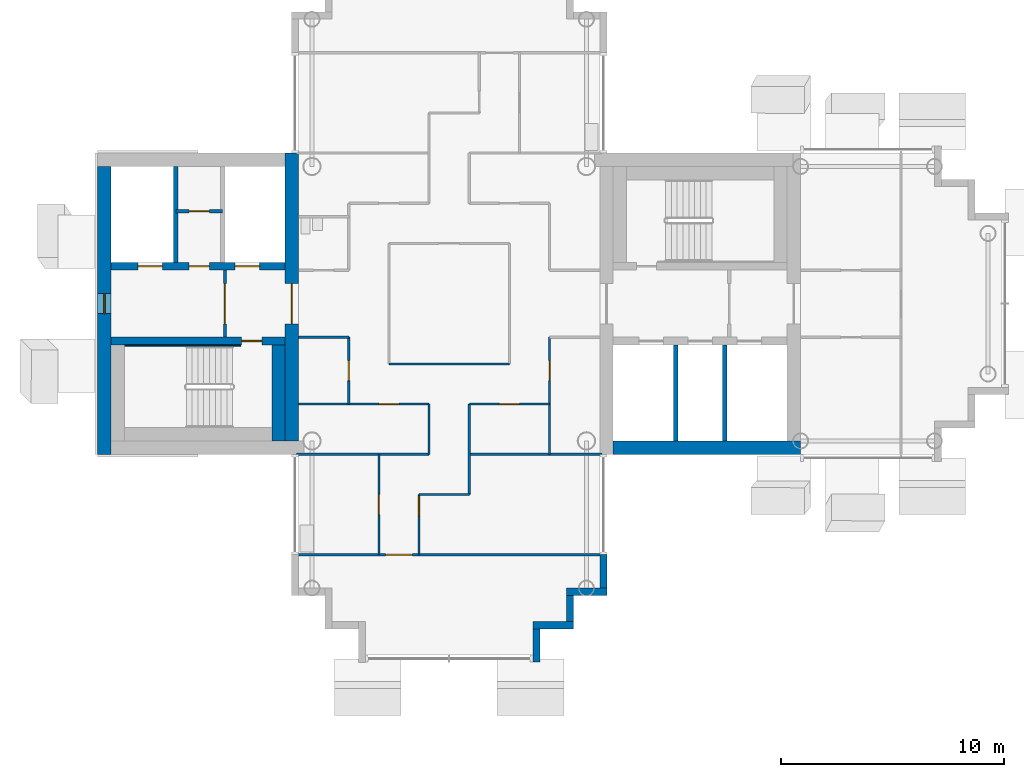
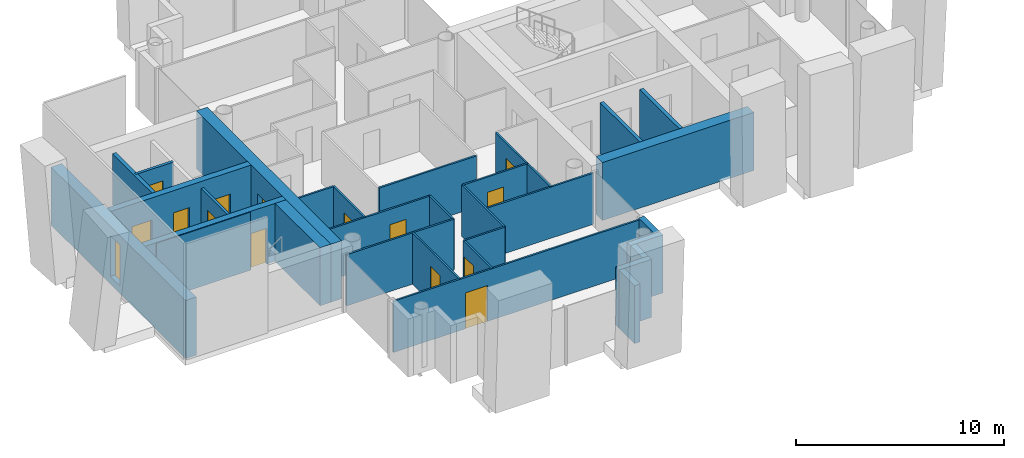
# One storey, part 6 of 18: 31 walls, 14 doors, 1 window, 15 openings.
"""IFC4 building model written with IfcOpenShell, lengths in metres."""

from ifc_helpers import new_model, si_unit, direction, frame, frame_2d, origin, place, context, subcontext, project, spatial, rectangle, extrude, material, layer, layer_set, type_object, element, fill, save


model = new_model("IFC4")

# Units and contexts
model_context = context("Model", 3, precision=1e-05, world=origin(), true_north=direction((0.0, 1.0)))
body_context = subcontext(model_context, "Body", "Model", "MODEL_VIEW")
ifc_project = project(units=[si_unit("LENGTHUNIT", "METRE"), si_unit("AREAUNIT", "SQUARE_METRE"), si_unit("VOLUMEUNIT", "CUBIC_METRE"), si_unit("PLANEANGLEUNIT", "RADIAN"), si_unit("MASSUNIT", "GRAM", prefix="KILO")], contexts=[model_context])

# Site, building, storey
site_placement = place(None, origin())
site = spatial("IfcSite", under=ifc_project, at=site_placement, CompositionType="ELEMENT")
building_placement = place(site_placement, origin())
building = spatial("IfcBuilding", under=site, at=building_placement, Name="Ipe Terrace Towers", CompositionType="ELEMENT")
storey_placement = place(building_placement, frame((0.0, 0.0, 223.199951171875)))
storey = spatial("IfcBuildingStorey", under=building, at=storey_placement, Name="L62", CompositionType="ELEMENT", Elevation=223.199951171875)

# Walls
ifc_material_1 = material(Name="Concrete C40/50 with buff precast cladding", Category="concrete")
ifc_layer_1 = layer(ifc_material_1, 0.320068359375)
ifc_layer_set_1 = layer_set([ifc_layer_1], Name="BUFF CLADDING WALL 320")
wall_type_1 = type_object("IfcWallType", Name="BUFF CLADDING WALL 320", PredefinedType="STANDARD", material=ifc_layer_set_1)
wall_1_placement = place(storey_placement, frame((-32.090087890625, -16.070068359375, -0.300048828125), z_axis=(0.0, 0.0, 1.0), x_axis=(0.0, 1.0, 0.0)))
element("IfcWall", 1, at=wall_1_placement, inside=storey, type_object=wall_type_1, Name="T1-W-L62-09a wall", PredefinedType="STANDARD", context=body_context, shape_type="SweptSolid", body=[
    extrude(rectangle(XDim=1.5, YDim=0.320068359375, at=frame_2d((0.75, 0.0))), origin(), (0.0, 0.0, 1.0), 3.400146484375),
])
wall_2_placement = place(storey_placement, frame((-32.25, -14.409912109375, -0.300048828125), z_axis=(0.0, 0.0, 1.0), x_axis=(1.0, 0.0, 0.0)))
element("IfcWall", 2, at=wall_2_placement, inside=storey, type_object=wall_type_1, Name="T1-W-L62-10a wall", PredefinedType="STANDARD", context=body_context, shape_type="SweptSolid", body=[
    extrude(rectangle(XDim=1.820068359375, YDim=0.320068359375, at=frame_2d((0.91015625, 0.0))), origin(), (0.0, 0.0, 1.0), 3.400146484375),
])
wall_3_placement = place(storey_placement, frame((-30.590087890625, -14.25, -0.300048828125), z_axis=(0.0, 0.0, 1.0), x_axis=(0.0, 1.0, 0.0)))
element("IfcWall", 3, at=wall_3_placement, inside=storey, type_object=wall_type_1, Name="T1-W-L62-11a wall", PredefinedType="STANDARD", context=body_context, shape_type="SweptSolid", body=[
    extrude(rectangle(XDim=1.179931640625, YDim=0.320068359375, at=frame_2d((0.58984375, 0.0))), origin(), (0.0, 0.0, 1.0), 3.400146484375),
])
wall_4_placement = place(storey_placement, frame((-30.75, -12.909912109375, -0.300048828125), z_axis=(0.0, 0.0, 1.0), x_axis=(1.0, 0.0, 0.0)))
element("IfcWall", 4, at=wall_4_placement, inside=storey, type_object=wall_type_1, Name="T1-W-L62-12a wall", PredefinedType="STANDARD", context=body_context, shape_type="SweptSolid", body=[
    extrude(rectangle(XDim=1.820068359375, YDim=0.320068359375, at=frame_2d((0.91015625, 0.0))), origin(), (0.0, 0.0, 1.0), 3.400146484375),
])
wall_5_placement = place(storey_placement, frame((-29.090087890625, -12.75, -0.300048828125), z_axis=(0.0, 0.0, 1.0), x_axis=(0.0, 1.0, 0.0)))
element("IfcWall", 5, at=wall_5_placement, inside=storey, type_object=wall_type_1, Name="T1-W-L62-13a wall", PredefinedType="STANDARD", context=body_context, shape_type="SweptSolid", body=[
    extrude(rectangle(XDim=1.5, YDim=0.320068359375, at=frame_2d((0.75, 0.0))), origin(), (0.0, 0.0, 1.0), 3.400146484375),
])

# Wall, opening, door
ifc_material_2 = material(Name="Gypsum board partition", Category="plasterboard")
ifc_layer_2 = layer(ifc_material_2, 0.10009765625)
ifc_layer_set_2 = layer_set([ifc_layer_2], Name="Gypsum board partition 100 mm")
wall_type_2 = type_object("IfcWallType", Name="Gypsum board partition 100 mm", PredefinedType="PARTITIONING", material=ifc_layer_set_2)
wall_6_placement = place(storey_placement, frame((-40.5, -4.5, 0.0), z_axis=(0.0, 0.0, 1.0), x_axis=(0.0, 1.0, 0.0)))
wall_6 = element("IfcWall", 6, at=wall_6_placement, inside=storey, type_object=wall_type_2, Name="Gypsum board partition T1 L62 W01", PredefinedType="PARTITIONING", context=body_context, shape_type="SweptSolid", body=[
    extrude(rectangle(XDim=3.0, YDim=0.10009765625, at=frame_2d((1.5, 0.0))), origin(), (0.0, 0.0, 1.0), 3.0),
])
opening_1_placement = place(wall_6_placement, frame((1.050048828125, 0.0, 0.0)))
opening_1 = element("IfcOpeningElement", 7, at=opening_1_placement, cuts=wall_6, Name="Opening T1-Z4F-06", PredefinedType="OPENING", context=body_context, shape_type="SweptSolid", body=[
    extrude(rectangle(XDim=0.89990234375, YDim=2.10009765625, at=frame_2d((0.449951171875, 1.050048828125))), frame((0.0, 0.06005859375, 0.0), z_axis=(0.0, -1.0, 0.0), x_axis=(1.0, 0.0, 0.0)), (0.0, 0.0, 1.0), 0.1201171875),
])
ifc_material_3 = material(Name="Timber door leaf", Category="wood")
door_type_1 = type_object("IfcDoorType", Name="Lounge door 900 x 2100", OperationType="NOTDEFINED", PredefinedType="DOOR", material=ifc_material_3)
door_1_placement = place(opening_1_placement, origin())
door_1 = element("IfcDoor", 8, at=door_1_placement, inside=storey, type_object=door_type_1, Name="Lounge door T1-Z4F-06", OperationType="SINGLE_SWING_LEFT", OverallHeight=2.10009765625, OverallWidth=0.89990234375, PredefinedType="DOOR", context=body_context, shape_type="SweptSolid", body=[
    extrude(rectangle(XDim=0.89990234375, YDim=2.10009765625, at=frame_2d((0.449951171875, 1.050048828125))), frame((0.0, 0.02490234375, 0.0), z_axis=(0.0, -1.0, 0.0), x_axis=(1.0, 0.0, 0.0)), (0.0, 0.0, 1.0), 0.050048828125),
])
fill(opening_1, door_1)

wall_7_placement = place(storey_placement, frame((-39.14990234375, -11.25, 0.0), z_axis=(0.0, 0.0, 1.0), x_axis=(0.0, 1.0, 0.0)))
wall_7 = element("IfcWall", 9, at=wall_7_placement, inside=storey, type_object=wall_type_2, Name="Gypsum board partition T1 L62 W03", PredefinedType="PARTITIONING", context=body_context, shape_type="SweptSolid", body=[
    extrude(rectangle(XDim=4.5, YDim=0.10009765625, at=frame_2d((2.25, 0.0))), origin(), (0.0, 0.0, 1.0), 3.0),
])
opening_2_placement = place(wall_7_placement, frame((1.800048828125, 0.0, 0.0)))
opening_2 = element("IfcOpeningElement", 10, at=opening_2_placement, cuts=wall_7, Name="Opening T1-Z4F-13", PredefinedType="OPENING", context=body_context, shape_type="SweptSolid", body=[
    extrude(rectangle(XDim=0.89990234375, YDim=2.10009765625, at=frame_2d((0.449951171875, 1.050048828125))), frame((0.0, 0.06005859375, 0.0), z_axis=(0.0, -1.0, 0.0), x_axis=(1.0, 0.0, 0.0)), (0.0, 0.0, 1.0), 0.1201171875),
])
door_2_placement = place(opening_2_placement, origin())
door_2 = element("IfcDoor", 11, at=door_2_placement, inside=storey, type_object=door_type_1, Name="Lounge door T1-Z4F-13", OperationType="SINGLE_SWING_LEFT", OverallHeight=2.10009765625, OverallWidth=0.89990234375, PredefinedType="DOOR", context=body_context, shape_type="SweptSolid", body=[
    extrude(rectangle(XDim=0.89990234375, YDim=2.10009765625, at=frame_2d((0.449951171875, 1.050048828125))), frame((0.0, 0.02490234375, 0.0), z_axis=(0.0, -1.0, 0.0), x_axis=(1.0, 0.0, 0.0)), (0.0, 0.0, 1.0), 0.050048828125),
])
fill(opening_2, door_2)

wall_8_placement = place(storey_placement, frame((-37.35009765625, -11.25, 0.0), z_axis=(0.0, 0.0, 1.0), x_axis=(0.0, 1.0, 0.0)))
wall_8 = element("IfcWall", 12, at=wall_8_placement, inside=storey, type_object=wall_type_2, Name="Gypsum board partition T1 L62 W05", PredefinedType="PARTITIONING", context=body_context, shape_type="SweptSolid", body=[
    extrude(rectangle(XDim=2.699951171875, YDim=0.10009765625, at=frame_2d((1.35009765625, 0.0))), origin(), (0.0, 0.0, 1.0), 3.0),
])
opening_3_placement = place(wall_8_placement, frame((1.72998046875, 0.0, 0.0)))
opening_3 = element("IfcOpeningElement", 13, at=opening_3_placement, cuts=wall_8, Name="Opening T1-Z4F-12", PredefinedType="OPENING", context=body_context, shape_type="SweptSolid", body=[
    extrude(rectangle(XDim=0.89990234375, YDim=2.10009765625, at=frame_2d((0.449951171875, 1.050048828125))), frame((0.0, 0.06005859375, 0.0), z_axis=(0.0, -1.0, 0.0), x_axis=(1.0, 0.0, 0.0)), (0.0, 0.0, 1.0), 0.1201171875),
])
door_3_placement = place(opening_3_placement, origin())
door_3 = element("IfcDoor", 14, at=door_3_placement, inside=storey, type_object=door_type_1, Name="Lounge door T1-Z4F-12", OperationType="SINGLE_SWING_RIGHT", OverallHeight=2.10009765625, OverallWidth=0.89990234375, PredefinedType="DOOR", context=body_context, shape_type="SweptSolid", body=[
    extrude(rectangle(XDim=0.89990234375, YDim=2.10009765625, at=frame_2d((0.449951171875, 1.050048828125))), frame((0.0, 0.02490234375, 0.0), z_axis=(0.0, -1.0, 0.0), x_axis=(1.0, 0.0, 0.0)), (0.0, 0.0, 1.0), 0.050048828125),
])
fill(opening_3, door_3)

# Walls
wall_9_placement = place(storey_placement, frame((-36.89990234375, -6.75, 0.0), z_axis=(0.0, 0.0, 1.0), x_axis=(0.0, 1.0, 0.0)))
element("IfcWall", 15, at=wall_9_placement, inside=storey, type_object=wall_type_2, Name="Gypsum board partition T1 L62 W06", PredefinedType="PARTITIONING", context=body_context, shape_type="SweptSolid", body=[
    extrude(rectangle(XDim=2.25, YDim=0.10009765625, at=frame_2d((1.125, 0.0))), origin(), (0.0, 0.0, 1.0), 3.0),
])
wall_10_placement = place(storey_placement, frame((-35.10009765625, -8.550048828125, 0.0), z_axis=(0.0, 0.0, 1.0), x_axis=(0.0, 1.0, 0.0)))
element("IfcWall", 16, at=wall_10_placement, inside=storey, type_object=wall_type_2, Name="Gypsum board partition T1 L62 W08", PredefinedType="PARTITIONING", context=body_context, shape_type="SweptSolid", body=[
    extrude(rectangle(XDim=4.050048828125, YDim=0.10009765625, at=frame_2d((2.02490234375, 0.0))), origin(), (0.0, 0.0, 1.0), 3.0),
])

# Wall, opening, door
wall_11_placement = place(storey_placement, frame((-31.5, -6.75, 0.0), z_axis=(0.0, 0.0, 1.0), x_axis=(0.0, 1.0, 0.0)))
wall_11 = element("IfcWall", 17, at=wall_11_placement, inside=storey, type_object=wall_type_2, Name="Gypsum board partition T1 L62 W13", PredefinedType="PARTITIONING", context=body_context, shape_type="SweptSolid", body=[
    extrude(rectangle(XDim=5.25, YDim=0.10009765625, at=frame_2d((2.625, 0.0))), origin(), (0.0, 0.0, 1.0), 3.0),
])
opening_4_placement = place(wall_11_placement, frame((3.300048828125, 0.0, 0.0)))
opening_4 = element("IfcOpeningElement", 18, at=opening_4_placement, cuts=wall_11, Name="Opening T1-Z4F-08", PredefinedType="OPENING", context=body_context, shape_type="SweptSolid", body=[
    extrude(rectangle(XDim=0.89990234375, YDim=2.10009765625, at=frame_2d((0.449951171875, 1.050048828125))), frame((0.0, 0.06005859375, 0.0), z_axis=(0.0, -1.0, 0.0), x_axis=(1.0, 0.0, 0.0)), (0.0, 0.0, 1.0), 0.1201171875),
])
door_4_placement = place(opening_4_placement, origin())
door_4 = element("IfcDoor", 19, at=door_4_placement, inside=storey, type_object=door_type_1, Name="Lounge door T1-Z4F-08", OperationType="SINGLE_SWING_RIGHT", OverallHeight=2.10009765625, OverallWidth=0.89990234375, PredefinedType="DOOR", context=body_context, shape_type="SweptSolid", body=[
    extrude(rectangle(XDim=0.89990234375, YDim=2.10009765625, at=frame_2d((0.449951171875, 1.050048828125))), frame((0.0, 0.02490234375, 0.0), z_axis=(0.0, -1.0, 0.0), x_axis=(1.0, 0.0, 0.0)), (0.0, 0.0, 1.0), 0.050048828125),
])
fill(opening_4, door_4)

wall_12_placement = place(storey_placement, frame((-42.85009765625, -11.25, 0.0), z_axis=(0.0, 0.0, 1.0), x_axis=(1.0, 0.0, 0.0)))
wall_12 = element("IfcWall", 20, at=wall_12_placement, inside=storey, type_object=wall_type_2, Name="Gypsum board partition T1 L62 W16", PredefinedType="PARTITIONING", context=body_context, shape_type="SweptSolid", body=[
    extrude(rectangle(XDim=13.7001953125, YDim=0.10009765625, at=frame_2d((6.85009765625, 0.0))), origin(), (0.0, 0.0, 1.0), 3.0),
])
opening_5_placement = place(wall_12_placement, frame((4.0, 0.0, 0.0)))
opening_5 = element("IfcOpeningElement", 21, at=opening_5_placement, cuts=wall_12, Name="Opening T1-Z4F-14", PredefinedType="OPENING", context=body_context, shape_type="SweptSolid", body=[
    extrude(rectangle(XDim=1.199951171875, YDim=2.10009765625, at=frame_2d((0.60009765625, 1.050048828125))), frame((0.0, 0.06005859375, 0.0), z_axis=(0.0, -1.0, 0.0), x_axis=(1.0, 0.0, 0.0)), (0.0, 0.0, 1.0), 0.1201171875),
])
ifc_material_4 = material(Name="Timber door leaf", Category="wood")
door_type_2 = type_object("IfcDoorType", Name="Lounge door 1200 x 2100", OperationType="NOTDEFINED", PredefinedType="DOOR", material=ifc_material_4)
door_5_placement = place(opening_5_placement, origin())
door_5 = element("IfcDoor", 22, at=door_5_placement, inside=storey, type_object=door_type_2, Name="Lounge door T1-Z4F-14", OperationType="SINGLE_SWING_LEFT", OverallHeight=2.10009765625, OverallWidth=1.199951171875, PredefinedType="DOOR", context=body_context, shape_type="SweptSolid", body=[
    extrude(rectangle(XDim=1.199951171875, YDim=2.10009765625, at=frame_2d((0.60009765625, 1.050048828125))), frame((0.0, 0.02490234375, 0.0), z_axis=(0.0, -1.0, 0.0), x_axis=(1.0, 0.0, 0.0)), (0.0, 0.0, 1.0), 0.050048828125),
])
fill(opening_5, door_5)

# Walls
wall_13_placement = place(storey_placement, frame((-37.35009765625, -8.550048828125, 0.0), z_axis=(0.0, 0.0, 1.0), x_axis=(1.0, 0.0, 0.0)))
element("IfcWall", 23, at=wall_13_placement, inside=storey, type_object=wall_type_2, Name="Gypsum board partition T1 L62 W17", PredefinedType="PARTITIONING", context=body_context, shape_type="SweptSolid", body=[
    extrude(rectangle(XDim=2.25, YDim=0.10009765625, at=frame_2d((1.125, 0.0))), origin(), (0.0, 0.0, 1.0), 3.0),
])
for number, where, z_axis, x_axis, name in (
    (24, (-42.85009765625, -6.75, 0.0), (0.0, 0.0, 1.0), (1.0, 0.0, 0.0), "Gypsum board partition T1 L62 W18"),
    (25, (-35.10009765625, -6.75, 0.0), (0.0, 0.0, 1.0), (1.0, 0.0, 0.0), "Gypsum board partition T1 L62 W19"),
):
    element("IfcWall", number, at=place(storey_placement, frame(where, z_axis=z_axis, x_axis=x_axis)), inside=storey, type_object=wall_type_2, Name=name, PredefinedType="PARTITIONING", context=body_context, shape_type="SweptSolid", body=[
        extrude(rectangle(XDim=5.9501953125, YDim=0.10009765625, at=frame_2d((2.97509765625, 0.0))), origin(), (0.0, 0.0, 1.0), 3.0),
    ])

# Wall, opening, door
wall_14_placement = place(storey_placement, frame((-42.75, -4.5, 0.0), z_axis=(0.0, 0.0, 1.0), x_axis=(1.0, 0.0, 0.0)))
wall_14 = element("IfcWall", 26, at=wall_14_placement, inside=storey, type_object=wall_type_2, Name="Gypsum board partition T1 L62 W20", PredefinedType="PARTITIONING", context=body_context, shape_type="SweptSolid", body=[
    extrude(rectangle(XDim=5.85009765625, YDim=0.10009765625, at=frame_2d((2.925048828125, 0.0))), origin(), (0.0, 0.0, 1.0), 3.0),
])
opening_6_placement = place(wall_14_placement, frame((3.60009765625, 0.0, 0.0)))
opening_6 = element("IfcOpeningElement", 27, at=opening_6_placement, cuts=wall_14, Name="Opening T1-Z4F-05", PredefinedType="OPENING", context=body_context, shape_type="SweptSolid", body=[
    extrude(rectangle(XDim=0.89990234375, YDim=2.10009765625, at=frame_2d((0.449951171875, 1.050048828125))), frame((0.0, 0.06005859375, 0.0), z_axis=(0.0, -1.0, 0.0), x_axis=(1.0, 0.0, 0.0)), (0.0, 0.0, 1.0), 0.1201171875),
])
door_6_placement = place(opening_6_placement, origin())
door_6 = element("IfcDoor", 28, at=door_6_placement, inside=storey, type_object=door_type_1, Name="Lounge door T1-Z4F-05", OperationType="SINGLE_SWING_RIGHT", OverallHeight=2.10009765625, OverallWidth=0.89990234375, PredefinedType="DOOR", context=body_context, shape_type="SweptSolid", body=[
    extrude(rectangle(XDim=0.89990234375, YDim=2.10009765625, at=frame_2d((0.449951171875, 1.050048828125))), frame((0.0, 0.02490234375, 0.0), z_axis=(0.0, -1.0, 0.0), x_axis=(1.0, 0.0, 0.0)), (0.0, 0.0, 1.0), 0.050048828125),
])
fill(opening_6, door_6)

wall_15_placement = place(storey_placement, frame((-35.10009765625, -4.5, 0.0), z_axis=(0.0, 0.0, 1.0), x_axis=(1.0, 0.0, 0.0)))
wall_15 = element("IfcWall", 29, at=wall_15_placement, inside=storey, type_object=wall_type_2, Name="Gypsum board partition T1 L62 W21", PredefinedType="PARTITIONING", context=body_context, shape_type="SweptSolid", body=[
    extrude(rectangle(XDim=3.60009765625, YDim=0.10009765625, at=frame_2d((1.800048828125, 0.0))), origin(), (0.0, 0.0, 1.0), 3.0),
])
opening_7_placement = place(wall_15_placement, frame((1.35009765625, 0.0, 0.0)))
opening_7 = element("IfcOpeningElement", 30, at=opening_7_placement, cuts=wall_15, Name="Opening T1-Z4F-07", PredefinedType="OPENING", context=body_context, shape_type="SweptSolid", body=[
    extrude(rectangle(XDim=0.89990234375, YDim=2.10009765625, at=frame_2d((0.449951171875, 1.050048828125))), frame((0.0, 0.06005859375, 0.0), z_axis=(0.0, -1.0, 0.0), x_axis=(1.0, 0.0, 0.0)), (0.0, 0.0, 1.0), 0.1201171875),
])
door_7_placement = place(opening_7_placement, origin())
door_7 = element("IfcDoor", 31, at=door_7_placement, inside=storey, type_object=door_type_1, Name="Lounge door T1-Z4F-07", OperationType="SINGLE_SWING_RIGHT", OverallHeight=2.10009765625, OverallWidth=0.89990234375, PredefinedType="DOOR", context=body_context, shape_type="SweptSolid", body=[
    extrude(rectangle(XDim=0.89990234375, YDim=2.10009765625, at=frame_2d((0.449951171875, 1.050048828125))), frame((0.0, 0.02490234375, 0.0), z_axis=(0.0, -1.0, 0.0), x_axis=(1.0, 0.0, 0.0)), (0.0, 0.0, 1.0), 0.050048828125),
])
fill(opening_7, door_7)

# Walls
wall_16_placement = place(storey_placement, frame((-38.699951171875, -2.699951171875, 0.0), z_axis=(0.0, 0.0, 1.0), x_axis=(1.0, 0.0, 0.0)))
element("IfcWall", 32, at=wall_16_placement, inside=storey, type_object=wall_type_2, Name="Gypsum board partition T1 L62 W22", PredefinedType="PARTITIONING", context=body_context, shape_type="SweptSolid", body=[
    extrude(rectangle(XDim=5.39990234375, YDim=0.10009765625, at=frame_2d((2.699951171875, 0.0))), origin(), (0.0, 0.0, 1.0), 3.0),
])
wall_17_placement = place(storey_placement, frame((-42.75, -1.5, 0.0), z_axis=(0.0, 0.0, 1.0), x_axis=(1.0, 0.0, 0.0)))
element("IfcWall", 33, at=wall_17_placement, inside=storey, type_object=wall_type_2, Name="Gypsum board partition T1 L62 W23", PredefinedType="PARTITIONING", context=body_context, shape_type="SweptSolid", body=[
    extrude(rectangle(XDim=2.25, YDim=0.10009765625, at=frame_2d((1.125, 0.0))), origin(), (0.0, 0.0, 1.0), 3.0),
])

# Wall, opening, door
ifc_material_5 = material(Name="Gypsum board partition", Category="plasterboard")
ifc_layer_3 = layer(ifc_material_5, 0.14990234375)
ifc_layer_set_3 = layer_set([ifc_layer_3], Name="Gypsum board partition 150 mm")
wall_type_3 = type_object("IfcWallType", Name="Gypsum board partition 150 mm", PredefinedType="PARTITIONING", material=ifc_layer_set_3)
wall_18_placement = place(storey_placement, frame((-46.050048828125, 1.5, 0.0), z_axis=(0.0, 0.0, 1.0), x_axis=(0.0, -1.0, 0.0)))
wall_18 = element("IfcWall", 34, at=wall_18_placement, inside=storey, type_object=wall_type_3, Name="Gypsum board partition T1 L62 t1c2-lobby-wall", PredefinedType="PARTITIONING", context=body_context, shape_type="SweptSolid", body=[
    extrude(rectangle(XDim=3.0, YDim=0.14990234375, at=frame_2d((1.5, 0.0))), origin(), (0.0, 0.0, 1.0), 3.0),
])
opening_8_placement = place(wall_18_placement, frame((0.60009765625, 0.0, 0.0)))
opening_8 = element("IfcOpeningElement", 35, at=opening_8_placement, cuts=wall_18, Name="Opening T1C2-VD", PredefinedType="OPENING", context=body_context, shape_type="SweptSolid", body=[
    extrude(rectangle(XDim=1.800048828125, YDim=2.10009765625, at=frame_2d((0.89990234375, 1.050048828125))), frame((0.0, 0.0849609375, 0.0), z_axis=(0.0, -1.0, 0.0), x_axis=(1.0, 0.0, 0.0)), (0.0, 0.0, 1.0), 0.169921875),
])
ifc_material_6 = material(Name="Fire-rated timber door leaf", Category="wood")
door_type_3 = type_object("IfcDoorType", Name="Lobby door 1800 x 2100 FD60", OperationType="NOTDEFINED", PredefinedType="DOOR", material=ifc_material_6)
door_8_placement = place(opening_8_placement, origin())
door_8 = element("IfcDoor", 36, at=door_8_placement, inside=storey, type_object=door_type_3, Name="Lobby door T1C2-VD", OperationType="SINGLE_SWING_LEFT", OverallHeight=2.10009765625, OverallWidth=1.800048828125, PredefinedType="DOOR", context=body_context, shape_type="SweptSolid", body=[
    extrude(rectangle(XDim=1.800048828125, YDim=2.10009765625, at=frame_2d((0.89990234375, 1.050048828125))), frame((0.0, 0.02490234375, 0.0), z_axis=(0.0, -1.0, 0.0), x_axis=(1.0, 0.0, 0.0)), (0.0, 0.0, 1.0), 0.050048828125),
])
fill(opening_8, door_8)

wall_19_placement = place(storey_placement, frame((-46.14990234375, 4.14990234375, 0.0), z_axis=(0.0, 0.0, 1.0), x_axis=(-1.0, 0.0, 0.0)))
wall_19 = element("IfcWall", 37, at=wall_19_placement, inside=storey, type_object=wall_type_3, Name="Gypsum board partition T1 L62 t1c2-q-back", PredefinedType="PARTITIONING", context=body_context, shape_type="SweptSolid", body=[
    extrude(rectangle(XDim=2.10009765625, YDim=0.14990234375, at=frame_2d((1.050048828125, 0.0))), origin(), (0.0, 0.0, 1.0), 3.0),
])
opening_9_placement = place(wall_19_placement, frame((0.60009765625, 0.0, 0.0)))
opening_9 = element("IfcOpeningElement", 38, at=opening_9_placement, cuts=wall_19, Name="Opening T1C2-RB", PredefinedType="OPENING", context=body_context, shape_type="SweptSolid", body=[
    extrude(rectangle(XDim=0.89990234375, YDim=2.10009765625, at=frame_2d((0.449951171875, 1.050048828125))), frame((0.0, 0.0849609375, 0.0), z_axis=(0.0, -1.0, 0.0), x_axis=(1.0, 0.0, 0.0)), (0.0, 0.0, 1.0), 0.169921875),
])
ifc_material_7 = material(Name="Fire-rated timber door leaf", Category="wood")
door_type_4 = type_object("IfcDoorType", Name="Service door 900 x 2100 FD60", OperationType="NOTDEFINED", PredefinedType="DOOR", material=ifc_material_7)
door_9_placement = place(opening_9_placement, origin())
door_9 = element("IfcDoor", 39, at=door_9_placement, inside=storey, type_object=door_type_4, Name="Service door T1C2-RB", OperationType="SINGLE_SWING_LEFT", OverallHeight=2.10009765625, OverallWidth=0.89990234375, PredefinedType="DOOR", context=body_context, shape_type="SweptSolid", body=[
    extrude(rectangle(XDim=0.89990234375, YDim=2.10009765625, at=frame_2d((0.449951171875, 1.050048828125))), frame((0.0, 0.02490234375, 0.0), z_axis=(0.0, -1.0, 0.0), x_axis=(1.0, 0.0, 0.0)), (0.0, 0.0, 1.0), 0.050048828125),
])
fill(opening_9, door_9)

# Walls
ifc_material_8 = material(Name="Gypsum board party wall", Category="plasterboard")
ifc_layer_4 = layer(ifc_material_8, 0.199951171875)
ifc_layer_set_4 = layer_set([ifc_layer_4], Name="Gypsum board party wall 200 mm")
wall_type_4 = type_object("IfcWallType", Name="Gypsum board party wall 200 mm", PredefinedType="SOLIDWALL", material=ifc_layer_set_4)
for number, where, z_axis, x_axis, name in (
    (40, (-25.85009765625, -6.14990234375, 0.0), (0.0, 0.0, 1.0), (0.0, 1.0, 0.0), "Gypsum board party wall T1 L62 t1c1-shaft-div1"),
    (41, (-23.64990234375, -6.14990234375, 0.0), (0.0, 0.0, 1.0), (0.0, 1.0, 0.0), "Gypsum board party wall T1 L62 t1c1-shaft-div2"),
    (42, (-48.25, 6.14990234375, 0.0), (0.0, 0.0, 1.0), (0.0, -1.0, 0.0), "Gypsum board party wall T1 L62 t1c2-shaft-div2"),
):
    element("IfcWall", number, at=place(storey_placement, frame(where, z_axis=z_axis, x_axis=x_axis)), inside=storey, type_object=wall_type_4, Name=name, PredefinedType="SOLIDWALL", context=body_context, shape_type="SweptSolid", body=[
        extrude(rectangle(XDim=4.2998046875, YDim=0.199951171875, at=frame_2d((2.14990234375, 0.0))), origin(), (0.0, 0.0, 1.0), 3.0),
    ])

# Wall, opening, door
ifc_material_9 = material(Name="Concrete C40/50", Category="concrete")
ifc_layer_5 = layer(ifc_material_9, 0.35009765625)
ifc_layer_set_5 = layer_set([ifc_layer_5], Name="RW350 CORE SPINE WALL 350 C40-50")
wall_type_5 = type_object("IfcWallType", Name="RW350 CORE SPINE WALL 350 C40-50", PredefinedType="SHEAR", material=ifc_layer_set_5)
wall_20_placement = place(storey_placement, frame((-51.14990234375, -1.675048828125, 0.0), z_axis=(0.0, 0.0, 1.0), x_axis=(1.0, 0.0, 0.0)))
wall_20 = element("IfcWall", 43, at=wall_20_placement, inside=storey, type_object=wall_type_5, Name="Core spine wall T1-C2-Z4-SW1", PredefinedType="SHEAR", context=body_context, shape_type="SweptSolid", body=[
    extrude(rectangle(XDim=7.7998046875, YDim=0.35009765625, at=frame_2d((3.89990234375, 0.0))), origin(), (0.0, 0.0, 1.0), 3.400146484375),
])
opening_10_placement = place(wall_20_placement, frame((5.85009765625, 0.0, 0.0)))
opening_10 = element("IfcOpeningElement", 44, at=opening_10_placement, cuts=wall_20, Name="Opening T1C2-SD", PredefinedType="OPENING", context=body_context, shape_type="SweptSolid", body=[
    extrude(rectangle(XDim=0.89990234375, YDim=2.10009765625, at=frame_2d((0.449951171875, 1.050048828125))), frame((0.0, 0.18505859375, 0.0), z_axis=(0.0, -1.0, 0.0), x_axis=(1.0, 0.0, 0.0)), (0.0, 0.0, 1.0), 0.3701171875),
])
ifc_material_10 = material(Name="Fire-rated timber door leaf", Category="wood")
door_type_5 = type_object("IfcDoorType", Name="Stair door 900 x 2100 FD60", OperationType="NOTDEFINED", PredefinedType="DOOR", material=ifc_material_10)
door_10_placement = place(opening_10_placement, origin())
door_10 = element("IfcDoor", 45, at=door_10_placement, inside=storey, type_object=door_type_5, Name="Stair door T1C2-SD", OperationType="SINGLE_SWING_RIGHT", OverallHeight=2.10009765625, OverallWidth=0.89990234375, PredefinedType="DOOR", context=body_context, shape_type="SweptSolid", body=[
    extrude(rectangle(XDim=0.89990234375, YDim=2.10009765625, at=frame_2d((0.449951171875, 1.050048828125))), frame((0.0, 0.02490234375, 0.0), z_axis=(0.0, -1.0, 0.0), x_axis=(1.0, 0.0, 0.0)), (0.0, 0.0, 1.0), 0.050048828125),
])
fill(opening_10, door_10)

# Wall, openings, doors
wall_21_placement = place(storey_placement, frame((-51.14990234375, 1.675048828125, 0.0), z_axis=(0.0, 0.0, 1.0), x_axis=(1.0, 0.0, 0.0)))
wall_21 = element("IfcWall", 46, at=wall_21_placement, inside=storey, type_object=wall_type_5, Name="Core spine wall T1-C2-Z4-SW2", PredefinedType="SHEAR", context=body_context, shape_type="SweptSolid", body=[
    extrude(rectangle(XDim=7.7998046875, YDim=0.35009765625, at=frame_2d((3.89990234375, 0.0))), origin(), (0.0, 0.0, 1.0), 3.400146484375),
])
opening_11_placement = place(wall_21_placement, frame((5.550048828125, 0.0, 0.0)))
opening_11 = element("IfcOpeningElement", 47, at=opening_11_placement, cuts=wall_21, Name="Opening T1C2-LD1", PredefinedType="OPENING", context=body_context, shape_type="SweptSolid", body=[
    extrude(rectangle(XDim=1.10009765625, YDim=2.10009765625, at=frame_2d((0.550048828125, 1.050048828125))), frame((0.0, 0.18505859375, 0.0), z_axis=(0.0, -1.0, 0.0), x_axis=(1.0, 0.0, 0.0)), (0.0, 0.0, 1.0), 0.3701171875),
])
opening_12_placement = place(wall_21_placement, frame((1.199951171875, 0.0, 0.0)))
opening_12 = element("IfcOpeningElement", 48, at=opening_12_placement, cuts=wall_21, Name="Opening T1C2-LD3", PredefinedType="OPENING", context=body_context, shape_type="SweptSolid", body=[
    extrude(rectangle(XDim=1.10009765625, YDim=2.10009765625, at=frame_2d((0.550048828125, 1.050048828125))), frame((0.0, 0.18505859375, 0.0), z_axis=(0.0, -1.0, 0.0), x_axis=(1.0, 0.0, 0.0)), (0.0, 0.0, 1.0), 0.3701171875),
])
opening_13_placement = place(wall_21_placement, frame((3.5, 0.0, 0.0)))
opening_13 = element("IfcOpeningElement", 49, at=opening_13_placement, cuts=wall_21, Name="Opening T1C2-R1-NR", PredefinedType="OPENING", context=body_context, shape_type="SweptSolid", body=[
    extrude(rectangle(XDim=0.89990234375, YDim=2.10009765625, at=frame_2d((0.449951171875, 1.050048828125))), frame((0.0, 0.18505859375, 0.0), z_axis=(0.0, -1.0, 0.0), x_axis=(1.0, 0.0, 0.0)), (0.0, 0.0, 1.0), 0.3701171875),
])
ifc_material_11 = material(Name="Fire-rated timber door leaf", Category="wood")
door_type_6 = type_object("IfcDoorType", Name="Sliding door 1100 x 2100 FD60", OperationType="SLIDING_TO_LEFT", PredefinedType="DOOR", material=ifc_material_11)
door_11_placement = place(opening_11_placement, origin())
door_11 = element("IfcDoor", 50, at=door_11_placement, inside=storey, type_object=door_type_6, Name="Sliding door T1C2-LD1", OperationType="SLIDING_TO_LEFT", OverallHeight=2.10009765625, OverallWidth=1.10009765625, PredefinedType="DOOR", context=body_context, shape_type="SweptSolid", body=[
    extrude(rectangle(XDim=1.10009765625, YDim=2.10009765625, at=frame_2d((0.550048828125, 1.050048828125))), frame((0.0, 0.02490234375, 0.0), z_axis=(0.0, -1.0, 0.0), x_axis=(1.0, 0.0, 0.0)), (0.0, 0.0, 1.0), 0.050048828125),
])
fill(opening_11, door_11)
door_12_placement = place(opening_12_placement, origin())
door_12 = element("IfcDoor", 51, at=door_12_placement, inside=storey, type_object=door_type_6, Name="Sliding door T1C2-LD3", OperationType="SLIDING_TO_LEFT", OverallHeight=2.10009765625, OverallWidth=1.10009765625, PredefinedType="DOOR", context=body_context, shape_type="SweptSolid", body=[
    extrude(rectangle(XDim=1.10009765625, YDim=2.10009765625, at=frame_2d((0.550048828125, 1.050048828125))), frame((0.0, 0.02490234375, 0.0), z_axis=(0.0, -1.0, 0.0), x_axis=(1.0, 0.0, 0.0)), (0.0, 0.0, 1.0), 0.050048828125),
])
fill(opening_12, door_12)
ifc_material_12 = material(Name="Timber door leaf", Category="wood")
door_type_7 = type_object("IfcDoorType", Name="Store door 900 x 2100", OperationType="NOTDEFINED", PredefinedType="DOOR", material=ifc_material_12)
door_13_placement = place(opening_13_placement, origin())
door_13 = element("IfcDoor", 52, at=door_13_placement, inside=storey, type_object=door_type_7, Name="Store door T1C2-R1-NR", OperationType="SINGLE_SWING_LEFT", OverallHeight=2.10009765625, OverallWidth=0.89990234375, PredefinedType="DOOR", context=body_context, shape_type="SweptSolid", body=[
    extrude(rectangle(XDim=0.89990234375, YDim=2.10009765625, at=frame_2d((0.449951171875, 1.050048828125))), frame((0.0, 0.02490234375, 0.0), z_axis=(0.0, -1.0, 0.0), x_axis=(1.0, 0.0, 0.0)), (0.0, 0.0, 1.0), 0.050048828125),
])
fill(opening_13, door_13)

# Walls
ifc_material_13 = material(Name="Concrete C40/50", Category="concrete")
ifc_layer_6 = layer(ifc_material_13, 0.050048828125)
ifc_layer_set_6 = layer_set([ifc_layer_6], Name="RW50 CORE INFILL WALL 50 C40-50")
wall_type_6 = type_object("IfcWallType", Name="RW50 CORE INFILL WALL 50 C40-50", PredefinedType="SHEAR", material=ifc_layer_set_6)
wall_22_placement = place(storey_placement, frame((-45.35009765625, -1.875, 0.0), z_axis=(0.0, 0.0, 1.0), x_axis=(-1.0, 0.0, 0.0)))
element("IfcWall", 53, at=wall_22_placement, inside=storey, type_object=wall_type_6, Name="Core infill wall T1-C2-spine-b", PredefinedType="SHEAR", context=body_context, shape_type="SweptSolid", body=[
    extrude(rectangle(XDim=5.199951171875, YDim=0.050048828125, at=frame_2d((2.60009765625, 0.0))), origin(), (0.0, 0.0, 1.0), 3.400146484375),
])
ifc_material_14 = material(Name="Concrete C40/50", Category="concrete")
ifc_layer_7 = layer(ifc_material_14, 0.60009765625)
ifc_layer_set_7 = layer_set([ifc_layer_7], Name="RW600 CORE INFILL WALL 600 C40-50")
wall_type_7 = type_object("IfcWallType", Name="RW600 CORE INFILL WALL 600 C40-50", PredefinedType="SHEAR", material=ifc_layer_set_7)
wall_23_placement = place(storey_placement, frame((-43.64990234375, -1.85009765625, 0.0), z_axis=(0.0, 0.0, 1.0), x_axis=(0.0, -1.0, 0.0)))
element("IfcWall", 54, at=wall_23_placement, inside=storey, type_object=wall_type_7, Name="Core infill wall T1-C2-near", PredefinedType="SHEAR", context=body_context, shape_type="SweptSolid", body=[
    extrude(rectangle(XDim=4.2998046875, YDim=0.60009765625, at=frame_2d((2.14990234375, 0.0))), origin(), (0.0, 0.0, 1.0), 3.400146484375),
])
ifc_material_15 = material(Name="Concrete C40/50", Category="concrete")
ifc_layer_8 = layer(ifc_material_15, 0.60009765625)
ifc_layer_set_8 = layer_set([ifc_layer_8], Name="RW600 CORE WALL 600 C40-50")
wall_type_8 = type_object("IfcWallType", Name="RW600 CORE WALL 600 C40-50", PredefinedType="SHEAR", material=ifc_layer_set_8)
wall_24_placement = place(storey_placement, frame((-28.64990234375, -6.449951171875, 0.0), z_axis=(0.0, 0.0, 1.0), x_axis=(1.0, 0.0, 0.0)))
element("IfcWall", 55, at=wall_24_placement, inside=storey, type_object=wall_type_8, Name="Core wall T1-C1-Z4-W01", PredefinedType="SHEAR", context=body_context, shape_type="SweptSolid", body=[
    extrude(rectangle(XDim=8.39990234375, YDim=0.60009765625, at=frame_2d((4.199951171875, 0.0))), origin(), (0.0, 0.0, 1.0), 3.400146484375),
])

# Wall, opening, door
wall_25_placement = place(storey_placement, frame((-43.050048828125, -6.14990234375, 0.0), z_axis=(0.0, 0.0, 1.0), x_axis=(0.0, 1.0, 0.0)))
wall_25 = element("IfcWall", 56, at=wall_25_placement, inside=storey, type_object=wall_type_8, Name="Core wall T1-C2-Z4-W02", PredefinedType="SHEAR", context=body_context, shape_type="SweptSolid", body=[
    extrude(rectangle(XDim=12.89990234375, YDim=0.60009765625, at=frame_2d((6.449951171875, 0.0))), origin(), (0.0, 0.0, 1.0), 3.400146484375),
])
opening_14_placement = place(wall_25_placement, frame((5.25, 0.0, 0.0)))
opening_14 = element("IfcOpeningElement", 57, at=opening_14_placement, cuts=wall_25, Name="Opening T1C2-ND", PredefinedType="OPENING", context=body_context, shape_type="SweptSolid", body=[
    extrude(rectangle(XDim=1.800048828125, YDim=2.10009765625, at=frame_2d((0.89990234375, 1.050048828125))), frame((0.0, 0.31005859375, 0.0), z_axis=(0.0, -1.0, 0.0), x_axis=(1.0, 0.0, 0.0)), (0.0, 0.0, 1.0), 0.6201171875),
])
ifc_material_16 = material(Name="Fire-rated timber door leaf", Category="wood")
door_type_8 = type_object("IfcDoorType", Name="Fire door 1800 x 2100 FD30S", OperationType="NOTDEFINED", PredefinedType="DOOR", material=ifc_material_16)
door_14_placement = place(opening_14_placement, origin())
door_14 = element("IfcDoor", 58, at=door_14_placement, inside=storey, type_object=door_type_8, Name="Fire door T1C2-ND", OperationType="SINGLE_SWING_LEFT", OverallHeight=2.10009765625, OverallWidth=1.800048828125, PredefinedType="DOOR", context=body_context, shape_type="SweptSolid", body=[
    extrude(rectangle(XDim=1.800048828125, YDim=2.10009765625, at=frame_2d((0.89990234375, 1.050048828125))), frame((0.0, 0.02490234375, 0.0), z_axis=(0.0, -1.0, 0.0), x_axis=(1.0, 0.0, 0.0)), (0.0, 0.0, 1.0), 0.050048828125),
])
fill(opening_14, door_14)

# Wall, opening, window
wall_26_placement = place(storey_placement, frame((-51.449951171875, 6.14990234375, 0.0), z_axis=(0.0, 0.0, 1.0), x_axis=(0.0, -1.0, 0.0)))
wall_26 = element("IfcWall", 59, at=wall_26_placement, inside=storey, type_object=wall_type_8, Name="Core wall T1-C2-Z4-W04", PredefinedType="SHEAR", context=body_context, shape_type="SweptSolid", body=[
    extrude(rectangle(XDim=12.89990234375, YDim=0.60009765625, at=frame_2d((6.449951171875, 0.0))), origin(), (0.0, 0.0, 1.0), 3.400146484375),
])
opening_15_placement = place(wall_26_placement, frame((5.699951171875, 0.0, 0.449951171875)))
opening_15 = element("IfcOpeningElement", 60, at=opening_15_placement, cuts=wall_26, Name="Opening T1-C2-W-01-L62", PredefinedType="OPENING", context=body_context, shape_type="SweptSolid", body=[
    extrude(rectangle(XDim=0.89990234375, YDim=2.39990234375, at=frame_2d((0.449951171875, 1.199951171875))), frame((0.0, 0.31005859375, 0.0), z_axis=(0.0, -1.0, 0.0), x_axis=(1.0, 0.0, 0.0)), (0.0, 0.0, 1.0), 0.6201171875),
])
ifc_material_17 = material(Name="Fire-resistant glazing EI 60", Category="glass")
window_type = type_object("IfcWindowType", Name="CORRIDOR END SLOT WINDOW 900 x 2400 EI 60", PartitioningType="SINGLE_PANEL", PredefinedType="WINDOW", material=ifc_material_17)
window_placement = place(opening_15_placement, origin())
window = element("IfcWindow", 61, at=window_placement, inside=storey, type_object=window_type, Name="W-01 window", OverallHeight=2.39990234375, OverallWidth=0.89990234375, PartitioningType="SINGLE_PANEL", PredefinedType="WINDOW", context=body_context, shape_type="SweptSolid", body=[
    extrude(rectangle(XDim=0.89990234375, YDim=2.39990234375, at=frame_2d((0.449951171875, 1.199951171875))), frame((0.0, 0.030029296875, 0.0), z_axis=(0.0, -1.0, 0.0), x_axis=(1.0, 0.0, 0.0)), (0.0, 0.0, 1.0), 0.06005859375),
])
fill(opening_15, window)

save(model, "model.ifc")
